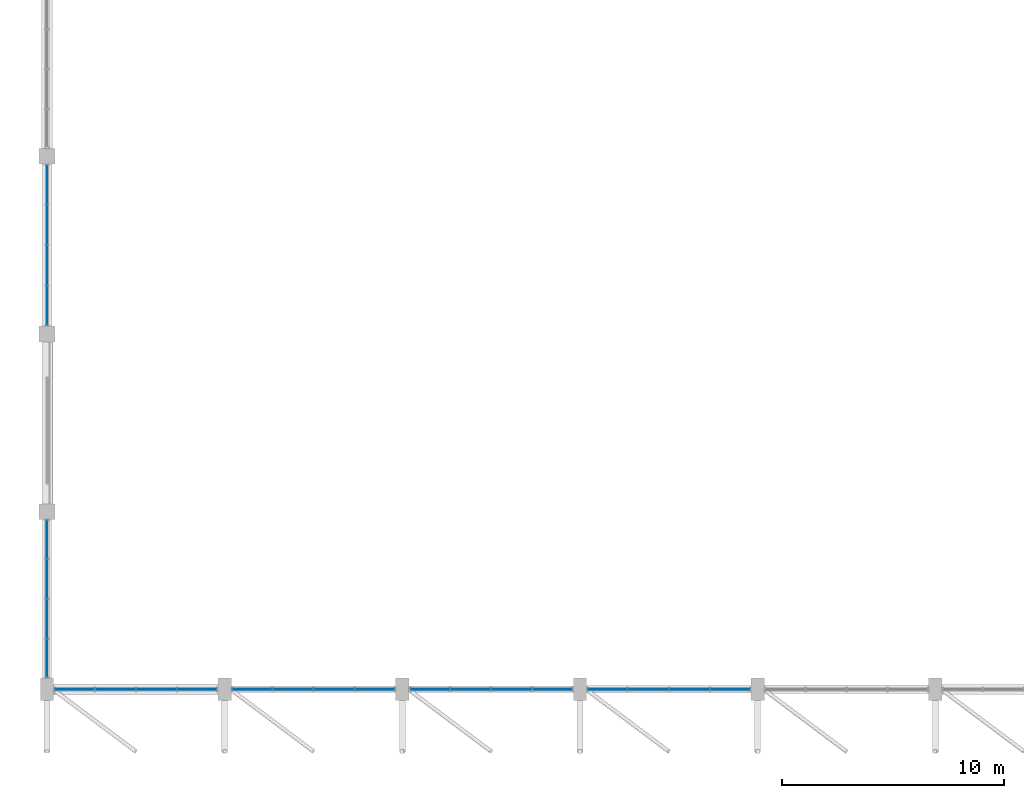
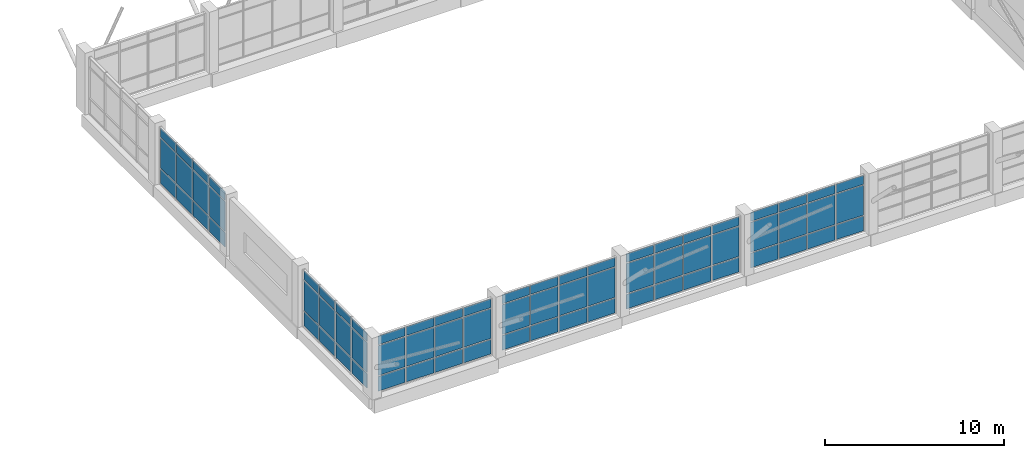
# One storey, part 29 of 44: 72 plates, 6 elements without a shape of their own.
"""IFC4 building model written with IfcOpenShell, lengths in metres."""

from ifc_helpers import new_model, si_unit, direction, frame, origin, origin_2d, place, context, subcontext, project, spatial, rectangle, extrude, material, layer, layer_set, type_object, element, aggregate, save


model = new_model("IFC4")

# Units and contexts
model_context = context("Model", 3, precision=1e-05, world=origin(), true_north=direction((0.0, 1.0)))
body_context = subcontext(model_context, "Body", "Model", "MODEL_VIEW")
ifc_project = project(units=[si_unit("LENGTHUNIT", "METRE"), si_unit("AREAUNIT", "SQUARE_METRE"), si_unit("VOLUMEUNIT", "CUBIC_METRE"), si_unit("PLANEANGLEUNIT", "RADIAN"), si_unit("MASSUNIT", "GRAM", prefix="KILO")], contexts=[model_context])

# Site, building, storey
site_placement = place(None, origin())
site = spatial("IfcSite", under=ifc_project, at=site_placement, CompositionType="ELEMENT")
building_placement = place(site_placement, origin())
building = spatial("IfcBuilding", under=site, at=building_placement, Name="Tenunan Teduh Sports Hall", CompositionType="ELEMENT")
storey_placement = place(building_placement, frame((0.0, 0.0, 19.199951171875)))
storey = spatial("IfcBuildingStorey", under=building, at=storey_placement, Name="L04", CompositionType="ELEMENT", Elevation=19.199951171875)

# Curtain wall, plates
ifc_material_1 = material(Name="Anodised aluminium", Category="aluminium")
curtain_wall_type = type_object("IfcCurtainWallType", Name="CW-UNIT-2", PredefinedType="NOTDEFINED", material=ifc_material_1)
curtain_wall_1_placement = place(storey_placement, origin())
curtain_wall_1 = element("IfcCurtainWall", 1, at=curtain_wall_1_placement, inside=storey, type_object=curtain_wall_type, Name="CW-CWM-200-L04-092", PredefinedType="NOTDEFINED")
ifc_material_2 = material(Name="Low-E laminated double glazing", Category="glass")
ifc_layer_1 = layer(ifc_material_2, 0.028076171875)
ifc_layer_set_1 = layer_set([ifc_layer_1], Name="Low-E laminated double glazing")
plate_type_1 = type_object("IfcPlateType", Name="CWP-GLZ-28", PredefinedType="CURTAIN_PANEL", material=ifc_layer_set_1)
plate_1_placement = place(storey_placement, frame((7.242431640625, 14.0, 1.13525390625), z_axis=(0.0, 0.0, 1.0), x_axis=(1.0, 0.0, 0.0)))
plate_1 = element("IfcPlate", 2, at=plate_1_placement, type_object=plate_type_1, Name="CW-02 panel 1.2", PredefinedType="CURTAIN_PANEL", context=body_context, shape_type="SweptSolid", body=[
    extrude(rectangle(XDim=1.7451171875, YDim=0.028076171875, at=origin_2d()), origin(), (0.0, 0.0, 1.0), 2.030029296875),
])
plate_2_placement = place(storey_placement, frame((7.242431640625, 14.0, 3.23486328125), z_axis=(0.0, 0.0, 1.0), x_axis=(1.0, 0.0, 0.0)))
plate_2 = element("IfcPlate", 3, at=plate_2_placement, type_object=plate_type_1, Name="CW-02 panel 1.3", PredefinedType="CURTAIN_PANEL", context=body_context, shape_type="SweptSolid", body=[
    extrude(rectangle(XDim=1.7451171875, YDim=0.028076171875, at=origin_2d()), origin(), (0.0, 0.0, 1.0), 0.594970703125),
])
plate_3_placement = place(storey_placement, frame((9.074951171875, 14.0, 1.13525390625), z_axis=(0.0, 0.0, 1.0), x_axis=(1.0, 0.0, 0.0)))
plate_3 = element("IfcPlate", 4, at=plate_3_placement, type_object=plate_type_1, Name="CW-02 panel 2.2", PredefinedType="CURTAIN_PANEL", context=body_context, shape_type="SweptSolid", body=[
    extrude(rectangle(XDim=1.780029296875, YDim=0.028076171875, at=origin_2d()), origin(), (0.0, 0.0, 1.0), 2.030029296875),
])
plate_4_placement = place(storey_placement, frame((9.074951171875, 14.0, 3.23486328125), z_axis=(0.0, 0.0, 1.0), x_axis=(1.0, 0.0, 0.0)))
plate_4 = element("IfcPlate", 5, at=plate_4_placement, type_object=plate_type_1, Name="CW-02 panel 2.3", PredefinedType="CURTAIN_PANEL", context=body_context, shape_type="SweptSolid", body=[
    extrude(rectangle(XDim=1.780029296875, YDim=0.028076171875, at=origin_2d()), origin(), (0.0, 0.0, 1.0), 0.594970703125),
])
plate_5_placement = place(storey_placement, frame((10.925048828125, 14.0, 1.13525390625), z_axis=(0.0, 0.0, 1.0), x_axis=(1.0, 0.0, 0.0)))
plate_5 = element("IfcPlate", 6, at=plate_5_placement, type_object=plate_type_1, Name="CW-02 panel 3.2", PredefinedType="CURTAIN_PANEL", context=body_context, shape_type="SweptSolid", body=[
    extrude(rectangle(XDim=1.780029296875, YDim=0.028076171875, at=origin_2d()), origin(), (0.0, 0.0, 1.0), 2.030029296875),
])
plate_6_placement = place(storey_placement, frame((10.925048828125, 14.0, 3.23486328125), z_axis=(0.0, 0.0, 1.0), x_axis=(1.0, 0.0, 0.0)))
plate_6 = element("IfcPlate", 7, at=plate_6_placement, type_object=plate_type_1, Name="CW-02 panel 3.3", PredefinedType="CURTAIN_PANEL", context=body_context, shape_type="SweptSolid", body=[
    extrude(rectangle(XDim=1.780029296875, YDim=0.028076171875, at=origin_2d()), origin(), (0.0, 0.0, 1.0), 0.594970703125),
])
plate_7_placement = place(storey_placement, frame((12.757568359375, 14.0, 1.13525390625), z_axis=(0.0, 0.0, 1.0), x_axis=(1.0, 0.0, 0.0)))
plate_7 = element("IfcPlate", 8, at=plate_7_placement, type_object=plate_type_1, Name="CW-02 panel 4.2", PredefinedType="CURTAIN_PANEL", context=body_context, shape_type="SweptSolid", body=[
    extrude(rectangle(XDim=1.7451171875, YDim=0.028076171875, at=origin_2d()), origin(), (0.0, 0.0, 1.0), 2.030029296875),
])
plate_8_placement = place(storey_placement, frame((12.757568359375, 14.0, 3.23486328125), z_axis=(0.0, 0.0, 1.0), x_axis=(1.0, 0.0, 0.0)))
plate_8 = element("IfcPlate", 9, at=plate_8_placement, type_object=plate_type_1, Name="CW-02 panel 4.3", PredefinedType="CURTAIN_PANEL", context=body_context, shape_type="SweptSolid", body=[
    extrude(rectangle(XDim=1.7451171875, YDim=0.028076171875, at=origin_2d()), origin(), (0.0, 0.0, 1.0), 0.594970703125),
])

curtain_wall_2_placement = place(storey_placement, origin())
curtain_wall_2 = element("IfcCurtainWall", 10, at=curtain_wall_2_placement, inside=storey, type_object=curtain_wall_type, Name="CW-CWM-175-L04-094", PredefinedType="NOTDEFINED")
plate_9_placement = place(storey_placement, frame((15.2412109375, 14.0, 1.1328125), z_axis=(0.0, 0.0, 1.0), x_axis=(1.0, 0.0, 0.0)))
plate_9 = element("IfcPlate", 11, at=plate_9_placement, type_object=plate_type_1, Name="CW-02 panel 1.2", PredefinedType="CURTAIN_PANEL", context=body_context, shape_type="SweptSolid", body=[
    extrude(rectangle(XDim=1.75244140625, YDim=0.028076171875, at=origin_2d()), origin(), (0.0, 0.0, 1.0), 2.034912109375),
])
plate_10_placement = place(storey_placement, frame((15.2412109375, 14.0, 3.232421875), z_axis=(0.0, 0.0, 1.0), x_axis=(1.0, 0.0, 0.0)))
plate_10 = element("IfcPlate", 12, at=plate_10_placement, type_object=plate_type_1, Name="CW-02 panel 1.3", PredefinedType="CURTAIN_PANEL", context=body_context, shape_type="SweptSolid", body=[
    extrude(rectangle(XDim=1.75244140625, YDim=0.028076171875, at=origin_2d()), origin(), (0.0, 0.0, 1.0), 0.6025390625),
])
plate_11_placement = place(storey_placement, frame((17.074951171875, 14.0, 1.1328125), z_axis=(0.0, 0.0, 1.0), x_axis=(1.0, 0.0, 0.0)))
plate_11 = element("IfcPlate", 13, at=plate_11_placement, type_object=plate_type_1, Name="CW-02 panel 2.2", PredefinedType="CURTAIN_PANEL", context=body_context, shape_type="SweptSolid", body=[
    extrude(rectangle(XDim=1.784912109375, YDim=0.028076171875, at=origin_2d()), origin(), (0.0, 0.0, 1.0), 2.034912109375),
])
plate_12_placement = place(storey_placement, frame((17.074951171875, 14.0, 3.232421875), z_axis=(0.0, 0.0, 1.0), x_axis=(1.0, 0.0, 0.0)))
plate_12 = element("IfcPlate", 14, at=plate_12_placement, type_object=plate_type_1, Name="CW-02 panel 2.3", PredefinedType="CURTAIN_PANEL", context=body_context, shape_type="SweptSolid", body=[
    extrude(rectangle(XDim=1.784912109375, YDim=0.028076171875, at=origin_2d()), origin(), (0.0, 0.0, 1.0), 0.6025390625),
])
plate_13_placement = place(storey_placement, frame((18.925048828125, 14.0, 1.1328125), z_axis=(0.0, 0.0, 1.0), x_axis=(1.0, 0.0, 0.0)))
plate_13 = element("IfcPlate", 15, at=plate_13_placement, type_object=plate_type_1, Name="CW-02 panel 3.2", PredefinedType="CURTAIN_PANEL", context=body_context, shape_type="SweptSolid", body=[
    extrude(rectangle(XDim=1.784912109375, YDim=0.028076171875, at=origin_2d()), origin(), (0.0, 0.0, 1.0), 2.034912109375),
])
plate_14_placement = place(storey_placement, frame((18.925048828125, 14.0, 3.232421875), z_axis=(0.0, 0.0, 1.0), x_axis=(1.0, 0.0, 0.0)))
plate_14 = element("IfcPlate", 16, at=plate_14_placement, type_object=plate_type_1, Name="CW-02 panel 3.3", PredefinedType="CURTAIN_PANEL", context=body_context, shape_type="SweptSolid", body=[
    extrude(rectangle(XDim=1.784912109375, YDim=0.028076171875, at=origin_2d()), origin(), (0.0, 0.0, 1.0), 0.6025390625),
])
plate_15_placement = place(storey_placement, frame((20.7587890625, 14.0, 1.1328125), z_axis=(0.0, 0.0, 1.0), x_axis=(1.0, 0.0, 0.0)))
plate_15 = element("IfcPlate", 17, at=plate_15_placement, type_object=plate_type_1, Name="CW-02 panel 4.2", PredefinedType="CURTAIN_PANEL", context=body_context, shape_type="SweptSolid", body=[
    extrude(rectangle(XDim=1.75244140625, YDim=0.028076171875, at=origin_2d()), origin(), (0.0, 0.0, 1.0), 2.034912109375),
])
plate_16_placement = place(storey_placement, frame((20.7587890625, 14.0, 3.232421875), z_axis=(0.0, 0.0, 1.0), x_axis=(1.0, 0.0, 0.0)))
plate_16 = element("IfcPlate", 18, at=plate_16_placement, type_object=plate_type_1, Name="CW-02 panel 4.3", PredefinedType="CURTAIN_PANEL", context=body_context, shape_type="SweptSolid", body=[
    extrude(rectangle(XDim=1.75244140625, YDim=0.028076171875, at=origin_2d()), origin(), (0.0, 0.0, 1.0), 0.6025390625),
])

curtain_wall_3_placement = place(storey_placement, origin())
curtain_wall_3 = element("IfcCurtainWall", 19, at=curtain_wall_3_placement, inside=storey, type_object=curtain_wall_type, Name="CW-CWM-200-L04-096", PredefinedType="NOTDEFINED")
plate_17_placement = place(storey_placement, frame((23.242431640625, 14.0, 1.13525390625), z_axis=(0.0, 0.0, 1.0), x_axis=(1.0, 0.0, 0.0)))
plate_17 = element("IfcPlate", 20, at=plate_17_placement, type_object=plate_type_1, Name="CW-02 panel 1.2", PredefinedType="CURTAIN_PANEL", context=body_context, shape_type="SweptSolid", body=[
    extrude(rectangle(XDim=1.7451171875, YDim=0.028076171875, at=origin_2d()), origin(), (0.0, 0.0, 1.0), 2.030029296875),
])
plate_18_placement = place(storey_placement, frame((23.242431640625, 14.0, 3.23486328125), z_axis=(0.0, 0.0, 1.0), x_axis=(1.0, 0.0, 0.0)))
plate_18 = element("IfcPlate", 21, at=plate_18_placement, type_object=plate_type_1, Name="CW-02 panel 1.3", PredefinedType="CURTAIN_PANEL", context=body_context, shape_type="SweptSolid", body=[
    extrude(rectangle(XDim=1.7451171875, YDim=0.028076171875, at=origin_2d()), origin(), (0.0, 0.0, 1.0), 0.594970703125),
])
plate_19_placement = place(storey_placement, frame((25.074951171875, 14.0, 1.13525390625), z_axis=(0.0, 0.0, 1.0), x_axis=(1.0, 0.0, 0.0)))
plate_19 = element("IfcPlate", 22, at=plate_19_placement, type_object=plate_type_1, Name="CW-02 panel 2.2", PredefinedType="CURTAIN_PANEL", context=body_context, shape_type="SweptSolid", body=[
    extrude(rectangle(XDim=1.780029296875, YDim=0.028076171875, at=origin_2d()), origin(), (0.0, 0.0, 1.0), 2.030029296875),
])
plate_20_placement = place(storey_placement, frame((25.074951171875, 14.0, 3.23486328125), z_axis=(0.0, 0.0, 1.0), x_axis=(1.0, 0.0, 0.0)))
plate_20 = element("IfcPlate", 23, at=plate_20_placement, type_object=plate_type_1, Name="CW-02 panel 2.3", PredefinedType="CURTAIN_PANEL", context=body_context, shape_type="SweptSolid", body=[
    extrude(rectangle(XDim=1.780029296875, YDim=0.028076171875, at=origin_2d()), origin(), (0.0, 0.0, 1.0), 0.594970703125),
])
plate_21_placement = place(storey_placement, frame((26.925048828125, 14.0, 1.13525390625), z_axis=(0.0, 0.0, 1.0), x_axis=(1.0, 0.0, 0.0)))
plate_21 = element("IfcPlate", 24, at=plate_21_placement, type_object=plate_type_1, Name="CW-02 panel 3.2", PredefinedType="CURTAIN_PANEL", context=body_context, shape_type="SweptSolid", body=[
    extrude(rectangle(XDim=1.780029296875, YDim=0.028076171875, at=origin_2d()), origin(), (0.0, 0.0, 1.0), 2.030029296875),
])
plate_22_placement = place(storey_placement, frame((26.925048828125, 14.0, 3.23486328125), z_axis=(0.0, 0.0, 1.0), x_axis=(1.0, 0.0, 0.0)))
plate_22 = element("IfcPlate", 25, at=plate_22_placement, type_object=plate_type_1, Name="CW-02 panel 3.3", PredefinedType="CURTAIN_PANEL", context=body_context, shape_type="SweptSolid", body=[
    extrude(rectangle(XDim=1.780029296875, YDim=0.028076171875, at=origin_2d()), origin(), (0.0, 0.0, 1.0), 0.594970703125),
])
plate_23_placement = place(storey_placement, frame((28.757568359375, 14.0, 1.13525390625), z_axis=(0.0, 0.0, 1.0), x_axis=(1.0, 0.0, 0.0)))
plate_23 = element("IfcPlate", 26, at=plate_23_placement, type_object=plate_type_1, Name="CW-02 panel 4.2", PredefinedType="CURTAIN_PANEL", context=body_context, shape_type="SweptSolid", body=[
    extrude(rectangle(XDim=1.7451171875, YDim=0.028076171875, at=origin_2d()), origin(), (0.0, 0.0, 1.0), 2.030029296875),
])
plate_24_placement = place(storey_placement, frame((28.757568359375, 14.0, 3.23486328125), z_axis=(0.0, 0.0, 1.0), x_axis=(1.0, 0.0, 0.0)))
plate_24 = element("IfcPlate", 27, at=plate_24_placement, type_object=plate_type_1, Name="CW-02 panel 4.3", PredefinedType="CURTAIN_PANEL", context=body_context, shape_type="SweptSolid", body=[
    extrude(rectangle(XDim=1.7451171875, YDim=0.028076171875, at=origin_2d()), origin(), (0.0, 0.0, 1.0), 0.594970703125),
])

curtain_wall_4_placement = place(storey_placement, origin())
curtain_wall_4 = element("IfcCurtainWall", 28, at=curtain_wall_4_placement, inside=storey, type_object=curtain_wall_type, Name="CW-CWM-175-L04-098", PredefinedType="NOTDEFINED")
plate_25_placement = place(storey_placement, frame((31.2412109375, 14.0, 1.1328125), z_axis=(0.0, 0.0, 1.0), x_axis=(1.0, 0.0, 0.0)))
plate_25 = element("IfcPlate", 29, at=plate_25_placement, type_object=plate_type_1, Name="CW-02 panel 1.2", PredefinedType="CURTAIN_PANEL", context=body_context, shape_type="SweptSolid", body=[
    extrude(rectangle(XDim=1.75244140625, YDim=0.028076171875, at=origin_2d()), origin(), (0.0, 0.0, 1.0), 2.034912109375),
])
plate_26_placement = place(storey_placement, frame((31.2412109375, 14.0, 3.232421875), z_axis=(0.0, 0.0, 1.0), x_axis=(1.0, 0.0, 0.0)))
plate_26 = element("IfcPlate", 30, at=plate_26_placement, type_object=plate_type_1, Name="CW-02 panel 1.3", PredefinedType="CURTAIN_PANEL", context=body_context, shape_type="SweptSolid", body=[
    extrude(rectangle(XDim=1.75244140625, YDim=0.028076171875, at=origin_2d()), origin(), (0.0, 0.0, 1.0), 0.6025390625),
])
plate_27_placement = place(storey_placement, frame((33.074951171875, 14.0, 1.1328125), z_axis=(0.0, 0.0, 1.0), x_axis=(1.0, 0.0, 0.0)))
plate_27 = element("IfcPlate", 31, at=plate_27_placement, type_object=plate_type_1, Name="CW-02 panel 2.2", PredefinedType="CURTAIN_PANEL", context=body_context, shape_type="SweptSolid", body=[
    extrude(rectangle(XDim=1.784912109375, YDim=0.028076171875, at=origin_2d()), origin(), (0.0, 0.0, 1.0), 2.034912109375),
])
plate_28_placement = place(storey_placement, frame((33.074951171875, 14.0, 3.232421875), z_axis=(0.0, 0.0, 1.0), x_axis=(1.0, 0.0, 0.0)))
plate_28 = element("IfcPlate", 32, at=plate_28_placement, type_object=plate_type_1, Name="CW-02 panel 2.3", PredefinedType="CURTAIN_PANEL", context=body_context, shape_type="SweptSolid", body=[
    extrude(rectangle(XDim=1.784912109375, YDim=0.028076171875, at=origin_2d()), origin(), (0.0, 0.0, 1.0), 0.6025390625),
])
plate_29_placement = place(storey_placement, frame((34.925048828125, 14.0, 1.1328125), z_axis=(0.0, 0.0, 1.0), x_axis=(1.0, 0.0, 0.0)))
plate_29 = element("IfcPlate", 33, at=plate_29_placement, type_object=plate_type_1, Name="CW-02 panel 3.2", PredefinedType="CURTAIN_PANEL", context=body_context, shape_type="SweptSolid", body=[
    extrude(rectangle(XDim=1.784912109375, YDim=0.028076171875, at=origin_2d()), origin(), (0.0, 0.0, 1.0), 2.034912109375),
])
plate_30_placement = place(storey_placement, frame((34.925048828125, 14.0, 3.232421875), z_axis=(0.0, 0.0, 1.0), x_axis=(1.0, 0.0, 0.0)))
plate_30 = element("IfcPlate", 34, at=plate_30_placement, type_object=plate_type_1, Name="CW-02 panel 3.3", PredefinedType="CURTAIN_PANEL", context=body_context, shape_type="SweptSolid", body=[
    extrude(rectangle(XDim=1.784912109375, YDim=0.028076171875, at=origin_2d()), origin(), (0.0, 0.0, 1.0), 0.6025390625),
])
plate_31_placement = place(storey_placement, frame((36.7587890625, 14.0, 1.1328125), z_axis=(0.0, 0.0, 1.0), x_axis=(1.0, 0.0, 0.0)))
plate_31 = element("IfcPlate", 35, at=plate_31_placement, type_object=plate_type_1, Name="CW-02 panel 4.2", PredefinedType="CURTAIN_PANEL", context=body_context, shape_type="SweptSolid", body=[
    extrude(rectangle(XDim=1.75244140625, YDim=0.028076171875, at=origin_2d()), origin(), (0.0, 0.0, 1.0), 2.034912109375),
])
plate_32_placement = place(storey_placement, frame((36.7587890625, 14.0, 3.232421875), z_axis=(0.0, 0.0, 1.0), x_axis=(1.0, 0.0, 0.0)))
plate_32 = element("IfcPlate", 36, at=plate_32_placement, type_object=plate_type_1, Name="CW-02 panel 4.3", PredefinedType="CURTAIN_PANEL", context=body_context, shape_type="SweptSolid", body=[
    extrude(rectangle(XDim=1.75244140625, YDim=0.028076171875, at=origin_2d()), origin(), (0.0, 0.0, 1.0), 0.6025390625),
])

curtain_wall_5_placement = place(storey_placement, origin())
curtain_wall_5 = element("IfcCurtainWall", 37, at=curtain_wall_5_placement, inside=storey, type_object=curtain_wall_type, Name="CW-CWM-200-L04-104", PredefinedType="NOTDEFINED")
plate_33_placement = place(storey_placement, frame((6.0, 15.4111328125, 1.13525390625), z_axis=(0.0, 0.0, 1.0), x_axis=(0.0, 1.0, 0.0)))
plate_33 = element("IfcPlate", 38, at=plate_33_placement, type_object=plate_type_1, Name="CW-02 panel 1.2", PredefinedType="CURTAIN_PANEL", context=body_context, shape_type="SweptSolid", body=[
    extrude(rectangle(XDim=1.6826171875, YDim=0.028076171875, at=origin_2d()), origin(), (0.0, 0.0, 1.0), 2.030029296875),
])
plate_34_placement = place(storey_placement, frame((6.0, 15.4111328125, 3.23486328125), z_axis=(0.0, 0.0, 1.0), x_axis=(0.0, 1.0, 0.0)))
plate_34 = element("IfcPlate", 39, at=plate_34_placement, type_object=plate_type_1, Name="CW-02 panel 1.3", PredefinedType="CURTAIN_PANEL", context=body_context, shape_type="SweptSolid", body=[
    extrude(rectangle(XDim=1.6826171875, YDim=0.028076171875, at=origin_2d()), origin(), (0.0, 0.0, 1.0), 0.594970703125),
])
plate_35_placement = place(storey_placement, frame((6.0, 17.18115234375, 1.13525390625), z_axis=(0.0, 0.0, 1.0), x_axis=(0.0, 1.0, 0.0)))
plate_35 = element("IfcPlate", 40, at=plate_35_placement, type_object=plate_type_1, Name="CW-02 panel 2.2", PredefinedType="CURTAIN_PANEL", context=body_context, shape_type="SweptSolid", body=[
    extrude(rectangle(XDim=1.717529296875, YDim=0.028076171875, at=origin_2d()), origin(), (0.0, 0.0, 1.0), 2.030029296875),
])
plate_36_placement = place(storey_placement, frame((6.0, 17.18115234375, 3.23486328125), z_axis=(0.0, 0.0, 1.0), x_axis=(0.0, 1.0, 0.0)))
plate_36 = element("IfcPlate", 41, at=plate_36_placement, type_object=plate_type_1, Name="CW-02 panel 2.3", PredefinedType="CURTAIN_PANEL", context=body_context, shape_type="SweptSolid", body=[
    extrude(rectangle(XDim=1.717529296875, YDim=0.028076171875, at=origin_2d()), origin(), (0.0, 0.0, 1.0), 0.594970703125),
])
plate_37_placement = place(storey_placement, frame((6.0, 18.96875, 1.13525390625), z_axis=(0.0, 0.0, 1.0), x_axis=(0.0, 1.0, 0.0)))
plate_37 = element("IfcPlate", 42, at=plate_37_placement, type_object=plate_type_1, Name="CW-02 panel 3.2", PredefinedType="CURTAIN_PANEL", context=body_context, shape_type="SweptSolid", body=[
    extrude(rectangle(XDim=1.717529296875, YDim=0.028076171875, at=origin_2d()), origin(), (0.0, 0.0, 1.0), 2.030029296875),
])
plate_38_placement = place(storey_placement, frame((6.0, 18.96875, 3.23486328125), z_axis=(0.0, 0.0, 1.0), x_axis=(0.0, 1.0, 0.0)))
plate_38 = element("IfcPlate", 43, at=plate_38_placement, type_object=plate_type_1, Name="CW-02 panel 3.3", PredefinedType="CURTAIN_PANEL", context=body_context, shape_type="SweptSolid", body=[
    extrude(rectangle(XDim=1.717529296875, YDim=0.028076171875, at=origin_2d()), origin(), (0.0, 0.0, 1.0), 0.594970703125),
])
plate_39_placement = place(storey_placement, frame((6.0, 20.73876953125, 1.13525390625), z_axis=(0.0, 0.0, 1.0), x_axis=(0.0, 1.0, 0.0)))
plate_39 = element("IfcPlate", 44, at=plate_39_placement, type_object=plate_type_1, Name="CW-02 panel 4.2", PredefinedType="CURTAIN_PANEL", context=body_context, shape_type="SweptSolid", body=[
    extrude(rectangle(XDim=1.6826171875, YDim=0.028076171875, at=origin_2d()), origin(), (0.0, 0.0, 1.0), 2.030029296875),
])
plate_40_placement = place(storey_placement, frame((6.0, 20.73876953125, 3.23486328125), z_axis=(0.0, 0.0, 1.0), x_axis=(0.0, 1.0, 0.0)))
plate_40 = element("IfcPlate", 45, at=plate_40_placement, type_object=plate_type_1, Name="CW-02 panel 4.3", PredefinedType="CURTAIN_PANEL", context=body_context, shape_type="SweptSolid", body=[
    extrude(rectangle(XDim=1.6826171875, YDim=0.028076171875, at=origin_2d()), origin(), (0.0, 0.0, 1.0), 0.594970703125),
])

curtain_wall_6_placement = place(storey_placement, origin())
curtain_wall_6 = element("IfcCurtainWall", 46, at=curtain_wall_6_placement, inside=storey, type_object=curtain_wall_type, Name="CW-CWM-175-L04-106", PredefinedType="NOTDEFINED")
plate_41_placement = place(storey_placement, frame((6.0, 31.27880859375, 1.1328125), z_axis=(0.0, 0.0, 1.0), x_axis=(0.0, 1.0, 0.0)))
plate_41 = element("IfcPlate", 47, at=plate_41_placement, type_object=plate_type_1, Name="CW-02 panel 1.2", PredefinedType="CURTAIN_PANEL", context=body_context, shape_type="SweptSolid", body=[
    extrude(rectangle(XDim=1.7275390625, YDim=0.028076171875, at=origin_2d()), origin(), (0.0, 0.0, 1.0), 2.034912109375),
])
plate_42_placement = place(storey_placement, frame((6.0, 31.27880859375, 3.232421875), z_axis=(0.0, 0.0, 1.0), x_axis=(0.0, 1.0, 0.0)))
plate_42 = element("IfcPlate", 48, at=plate_42_placement, type_object=plate_type_1, Name="CW-02 panel 1.3", PredefinedType="CURTAIN_PANEL", context=body_context, shape_type="SweptSolid", body=[
    extrude(rectangle(XDim=1.7275390625, YDim=0.028076171875, at=origin_2d()), origin(), (0.0, 0.0, 1.0), 0.6025390625),
])
plate_43_placement = place(storey_placement, frame((6.0, 33.08740234375, 1.1328125), z_axis=(0.0, 0.0, 1.0), x_axis=(0.0, 1.0, 0.0)))
plate_43 = element("IfcPlate", 49, at=plate_43_placement, type_object=plate_type_1, Name="CW-02 panel 2.2", PredefinedType="CURTAIN_PANEL", context=body_context, shape_type="SweptSolid", body=[
    extrude(rectangle(XDim=1.760009765625, YDim=0.028076171875, at=origin_2d()), origin(), (0.0, 0.0, 1.0), 2.034912109375),
])
plate_44_placement = place(storey_placement, frame((6.0, 33.08740234375, 3.232421875), z_axis=(0.0, 0.0, 1.0), x_axis=(0.0, 1.0, 0.0)))
plate_44 = element("IfcPlate", 50, at=plate_44_placement, type_object=plate_type_1, Name="CW-02 panel 2.3", PredefinedType="CURTAIN_PANEL", context=body_context, shape_type="SweptSolid", body=[
    extrude(rectangle(XDim=1.760009765625, YDim=0.028076171875, at=origin_2d()), origin(), (0.0, 0.0, 1.0), 0.6025390625),
])
plate_45_placement = place(storey_placement, frame((6.0, 34.91259765625, 1.1328125), z_axis=(0.0, 0.0, 1.0), x_axis=(0.0, 1.0, 0.0)))
plate_45 = element("IfcPlate", 51, at=plate_45_placement, type_object=plate_type_1, Name="CW-02 panel 3.2", PredefinedType="CURTAIN_PANEL", context=body_context, shape_type="SweptSolid", body=[
    extrude(rectangle(XDim=1.760009765625, YDim=0.028076171875, at=origin_2d()), origin(), (0.0, 0.0, 1.0), 2.034912109375),
])
plate_46_placement = place(storey_placement, frame((6.0, 34.91259765625, 3.232421875), z_axis=(0.0, 0.0, 1.0), x_axis=(0.0, 1.0, 0.0)))
plate_46 = element("IfcPlate", 52, at=plate_46_placement, type_object=plate_type_1, Name="CW-02 panel 3.3", PredefinedType="CURTAIN_PANEL", context=body_context, shape_type="SweptSolid", body=[
    extrude(rectangle(XDim=1.760009765625, YDim=0.028076171875, at=origin_2d()), origin(), (0.0, 0.0, 1.0), 0.6025390625),
])
plate_47_placement = place(storey_placement, frame((6.0, 36.72119140625, 1.1328125), z_axis=(0.0, 0.0, 1.0), x_axis=(0.0, 1.0, 0.0)))
plate_47 = element("IfcPlate", 53, at=plate_47_placement, type_object=plate_type_1, Name="CW-02 panel 4.2", PredefinedType="CURTAIN_PANEL", context=body_context, shape_type="SweptSolid", body=[
    extrude(rectangle(XDim=1.7275390625, YDim=0.028076171875, at=origin_2d()), origin(), (0.0, 0.0, 1.0), 2.034912109375),
])
plate_48_placement = place(storey_placement, frame((6.0, 36.72119140625, 3.232421875), z_axis=(0.0, 0.0, 1.0), x_axis=(0.0, 1.0, 0.0)))
plate_48 = element("IfcPlate", 54, at=plate_48_placement, type_object=plate_type_1, Name="CW-02 panel 4.3", PredefinedType="CURTAIN_PANEL", context=body_context, shape_type="SweptSolid", body=[
    extrude(rectangle(XDim=1.7275390625, YDim=0.028076171875, at=origin_2d()), origin(), (0.0, 0.0, 1.0), 0.6025390625),
])

# Plate
ifc_material_3 = material(Name="Insulated aluminium spandrel panel", Category="aluminium")
ifc_layer_2 = layer(ifc_material_3, 0.044921875)
ifc_layer_set_2 = layer_set([ifc_layer_2], Name="Insulated aluminium spandrel panel")
plate_type_2 = type_object("IfcPlateType", Name="CWP-SPN-45", PredefinedType="CURTAIN_PANEL", material=ifc_layer_set_2)
plate_49_placement = place(storey_placement, frame((7.242431640625, 14.0, 0.070068359375), z_axis=(0.0, 0.0, 1.0), x_axis=(1.0, 0.0, 0.0)))
plate_49 = element("IfcPlate", 55, at=plate_49_placement, type_object=plate_type_2, Name="CW-02 panel 1.1", PredefinedType="CURTAIN_PANEL", context=body_context, shape_type="SweptSolid", body=[
    extrude(rectangle(XDim=1.7451171875, YDim=0.028076171875, at=origin_2d()), origin(), (0.0, 0.0, 1.0), 0.9951171875),
])

plate_50_placement = place(storey_placement, frame((9.074951171875, 14.0, 0.070068359375), z_axis=(0.0, 0.0, 1.0), x_axis=(1.0, 0.0, 0.0)))
plate_50 = element("IfcPlate", 56, at=plate_50_placement, type_object=plate_type_2, Name="CW-02 panel 2.1", PredefinedType="CURTAIN_PANEL", context=body_context, shape_type="SweptSolid", body=[
    extrude(rectangle(XDim=1.780029296875, YDim=0.028076171875, at=origin_2d()), origin(), (0.0, 0.0, 1.0), 0.9951171875),
])

plate_51_placement = place(storey_placement, frame((10.925048828125, 14.0, 0.070068359375), z_axis=(0.0, 0.0, 1.0), x_axis=(1.0, 0.0, 0.0)))
plate_51 = element("IfcPlate", 57, at=plate_51_placement, type_object=plate_type_2, Name="CW-02 panel 3.1", PredefinedType="CURTAIN_PANEL", context=body_context, shape_type="SweptSolid", body=[
    extrude(rectangle(XDim=1.780029296875, YDim=0.028076171875, at=origin_2d()), origin(), (0.0, 0.0, 1.0), 0.9951171875),
])

plate_52_placement = place(storey_placement, frame((12.757568359375, 14.0, 0.070068359375), z_axis=(0.0, 0.0, 1.0), x_axis=(1.0, 0.0, 0.0)))
plate_52 = element("IfcPlate", 58, at=plate_52_placement, type_object=plate_type_2, Name="CW-02 panel 4.1", PredefinedType="CURTAIN_PANEL", context=body_context, shape_type="SweptSolid", body=[
    extrude(rectangle(XDim=1.7451171875, YDim=0.028076171875, at=origin_2d()), origin(), (0.0, 0.0, 1.0), 0.9951171875),
])

aggregate(curtain_wall_1, [plate_49, plate_1, plate_2, plate_50, plate_3, plate_4, plate_51, plate_5, plate_6, plate_52, plate_7, plate_8])

plate_53_placement = place(storey_placement, frame((15.2412109375, 14.0, 0.065185546875), z_axis=(0.0, 0.0, 1.0), x_axis=(1.0, 0.0, 0.0)))
plate_53 = element("IfcPlate", 59, at=plate_53_placement, type_object=plate_type_2, Name="CW-02 panel 1.1", PredefinedType="CURTAIN_PANEL", context=body_context, shape_type="SweptSolid", body=[
    extrude(rectangle(XDim=1.75244140625, YDim=0.028076171875, at=origin_2d()), origin(), (0.0, 0.0, 1.0), 1.00244140625),
])

plate_54_placement = place(storey_placement, frame((17.074951171875, 14.0, 0.065185546875), z_axis=(0.0, 0.0, 1.0), x_axis=(1.0, 0.0, 0.0)))
plate_54 = element("IfcPlate", 60, at=plate_54_placement, type_object=plate_type_2, Name="CW-02 panel 2.1", PredefinedType="CURTAIN_PANEL", context=body_context, shape_type="SweptSolid", body=[
    extrude(rectangle(XDim=1.784912109375, YDim=0.028076171875, at=origin_2d()), origin(), (0.0, 0.0, 1.0), 1.00244140625),
])

plate_55_placement = place(storey_placement, frame((18.925048828125, 14.0, 0.065185546875), z_axis=(0.0, 0.0, 1.0), x_axis=(1.0, 0.0, 0.0)))
plate_55 = element("IfcPlate", 61, at=plate_55_placement, type_object=plate_type_2, Name="CW-02 panel 3.1", PredefinedType="CURTAIN_PANEL", context=body_context, shape_type="SweptSolid", body=[
    extrude(rectangle(XDim=1.784912109375, YDim=0.028076171875, at=origin_2d()), origin(), (0.0, 0.0, 1.0), 1.00244140625),
])

plate_56_placement = place(storey_placement, frame((20.7587890625, 14.0, 0.065185546875), z_axis=(0.0, 0.0, 1.0), x_axis=(1.0, 0.0, 0.0)))
plate_56 = element("IfcPlate", 62, at=plate_56_placement, type_object=plate_type_2, Name="CW-02 panel 4.1", PredefinedType="CURTAIN_PANEL", context=body_context, shape_type="SweptSolid", body=[
    extrude(rectangle(XDim=1.75244140625, YDim=0.028076171875, at=origin_2d()), origin(), (0.0, 0.0, 1.0), 1.00244140625),
])

aggregate(curtain_wall_2, [plate_53, plate_9, plate_10, plate_54, plate_11, plate_12, plate_55, plate_13, plate_14, plate_56, plate_15, plate_16])

plate_57_placement = place(storey_placement, frame((23.242431640625, 14.0, 0.070068359375), z_axis=(0.0, 0.0, 1.0), x_axis=(1.0, 0.0, 0.0)))
plate_57 = element("IfcPlate", 63, at=plate_57_placement, type_object=plate_type_2, Name="CW-02 panel 1.1", PredefinedType="CURTAIN_PANEL", context=body_context, shape_type="SweptSolid", body=[
    extrude(rectangle(XDim=1.7451171875, YDim=0.028076171875, at=origin_2d()), origin(), (0.0, 0.0, 1.0), 0.9951171875),
])

plate_58_placement = place(storey_placement, frame((25.074951171875, 14.0, 0.070068359375), z_axis=(0.0, 0.0, 1.0), x_axis=(1.0, 0.0, 0.0)))
plate_58 = element("IfcPlate", 64, at=plate_58_placement, type_object=plate_type_2, Name="CW-02 panel 2.1", PredefinedType="CURTAIN_PANEL", context=body_context, shape_type="SweptSolid", body=[
    extrude(rectangle(XDim=1.780029296875, YDim=0.028076171875, at=origin_2d()), origin(), (0.0, 0.0, 1.0), 0.9951171875),
])

plate_59_placement = place(storey_placement, frame((26.925048828125, 14.0, 0.070068359375), z_axis=(0.0, 0.0, 1.0), x_axis=(1.0, 0.0, 0.0)))
plate_59 = element("IfcPlate", 65, at=plate_59_placement, type_object=plate_type_2, Name="CW-02 panel 3.1", PredefinedType="CURTAIN_PANEL", context=body_context, shape_type="SweptSolid", body=[
    extrude(rectangle(XDim=1.780029296875, YDim=0.028076171875, at=origin_2d()), origin(), (0.0, 0.0, 1.0), 0.9951171875),
])

plate_60_placement = place(storey_placement, frame((28.757568359375, 14.0, 0.070068359375), z_axis=(0.0, 0.0, 1.0), x_axis=(1.0, 0.0, 0.0)))
plate_60 = element("IfcPlate", 66, at=plate_60_placement, type_object=plate_type_2, Name="CW-02 panel 4.1", PredefinedType="CURTAIN_PANEL", context=body_context, shape_type="SweptSolid", body=[
    extrude(rectangle(XDim=1.7451171875, YDim=0.028076171875, at=origin_2d()), origin(), (0.0, 0.0, 1.0), 0.9951171875),
])

aggregate(curtain_wall_3, [plate_57, plate_17, plate_18, plate_58, plate_19, plate_20, plate_59, plate_21, plate_22, plate_60, plate_23, plate_24])

plate_61_placement = place(storey_placement, frame((31.2412109375, 14.0, 0.065185546875), z_axis=(0.0, 0.0, 1.0), x_axis=(1.0, 0.0, 0.0)))
plate_61 = element("IfcPlate", 67, at=plate_61_placement, type_object=plate_type_2, Name="CW-02 panel 1.1", PredefinedType="CURTAIN_PANEL", context=body_context, shape_type="SweptSolid", body=[
    extrude(rectangle(XDim=1.75244140625, YDim=0.028076171875, at=origin_2d()), origin(), (0.0, 0.0, 1.0), 1.00244140625),
])

plate_62_placement = place(storey_placement, frame((33.074951171875, 14.0, 0.065185546875), z_axis=(0.0, 0.0, 1.0), x_axis=(1.0, 0.0, 0.0)))
plate_62 = element("IfcPlate", 68, at=plate_62_placement, type_object=plate_type_2, Name="CW-02 panel 2.1", PredefinedType="CURTAIN_PANEL", context=body_context, shape_type="SweptSolid", body=[
    extrude(rectangle(XDim=1.784912109375, YDim=0.028076171875, at=origin_2d()), origin(), (0.0, 0.0, 1.0), 1.00244140625),
])

plate_63_placement = place(storey_placement, frame((34.925048828125, 14.0, 0.065185546875), z_axis=(0.0, 0.0, 1.0), x_axis=(1.0, 0.0, 0.0)))
plate_63 = element("IfcPlate", 69, at=plate_63_placement, type_object=plate_type_2, Name="CW-02 panel 3.1", PredefinedType="CURTAIN_PANEL", context=body_context, shape_type="SweptSolid", body=[
    extrude(rectangle(XDim=1.784912109375, YDim=0.028076171875, at=origin_2d()), origin(), (0.0, 0.0, 1.0), 1.00244140625),
])

plate_64_placement = place(storey_placement, frame((36.7587890625, 14.0, 0.065185546875), z_axis=(0.0, 0.0, 1.0), x_axis=(1.0, 0.0, 0.0)))
plate_64 = element("IfcPlate", 70, at=plate_64_placement, type_object=plate_type_2, Name="CW-02 panel 4.1", PredefinedType="CURTAIN_PANEL", context=body_context, shape_type="SweptSolid", body=[
    extrude(rectangle(XDim=1.75244140625, YDim=0.028076171875, at=origin_2d()), origin(), (0.0, 0.0, 1.0), 1.00244140625),
])

aggregate(curtain_wall_4, [plate_61, plate_25, plate_26, plate_62, plate_27, plate_28, plate_63, plate_29, plate_30, plate_64, plate_31, plate_32])

plate_65_placement = place(storey_placement, frame((6.0, 15.4111328125, 0.070068359375), z_axis=(0.0, 0.0, 1.0), x_axis=(0.0, 1.0, 0.0)))
plate_65 = element("IfcPlate", 71, at=plate_65_placement, type_object=plate_type_2, Name="CW-02 panel 1.1", PredefinedType="CURTAIN_PANEL", context=body_context, shape_type="SweptSolid", body=[
    extrude(rectangle(XDim=1.6826171875, YDim=0.028076171875, at=origin_2d()), origin(), (0.0, 0.0, 1.0), 0.9951171875),
])

plate_66_placement = place(storey_placement, frame((6.0, 17.18115234375, 0.070068359375), z_axis=(0.0, 0.0, 1.0), x_axis=(0.0, 1.0, 0.0)))
plate_66 = element("IfcPlate", 72, at=plate_66_placement, type_object=plate_type_2, Name="CW-02 panel 2.1", PredefinedType="CURTAIN_PANEL", context=body_context, shape_type="SweptSolid", body=[
    extrude(rectangle(XDim=1.717529296875, YDim=0.028076171875, at=origin_2d()), origin(), (0.0, 0.0, 1.0), 0.9951171875),
])

plate_67_placement = place(storey_placement, frame((6.0, 18.96875, 0.070068359375), z_axis=(0.0, 0.0, 1.0), x_axis=(0.0, 1.0, 0.0)))
plate_67 = element("IfcPlate", 73, at=plate_67_placement, type_object=plate_type_2, Name="CW-02 panel 3.1", PredefinedType="CURTAIN_PANEL", context=body_context, shape_type="SweptSolid", body=[
    extrude(rectangle(XDim=1.717529296875, YDim=0.028076171875, at=origin_2d()), origin(), (0.0, 0.0, 1.0), 0.9951171875),
])

plate_68_placement = place(storey_placement, frame((6.0, 20.73876953125, 0.070068359375), z_axis=(0.0, 0.0, 1.0), x_axis=(0.0, 1.0, 0.0)))
plate_68 = element("IfcPlate", 74, at=plate_68_placement, type_object=plate_type_2, Name="CW-02 panel 4.1", PredefinedType="CURTAIN_PANEL", context=body_context, shape_type="SweptSolid", body=[
    extrude(rectangle(XDim=1.6826171875, YDim=0.028076171875, at=origin_2d()), origin(), (0.0, 0.0, 1.0), 0.9951171875),
])

aggregate(curtain_wall_5, [plate_65, plate_33, plate_34, plate_66, plate_35, plate_36, plate_67, plate_37, plate_38, plate_68, plate_39, plate_40])

plate_69_placement = place(storey_placement, frame((6.0, 31.27880859375, 0.065185546875), z_axis=(0.0, 0.0, 1.0), x_axis=(0.0, 1.0, 0.0)))
plate_69 = element("IfcPlate", 75, at=plate_69_placement, type_object=plate_type_2, Name="CW-02 panel 1.1", PredefinedType="CURTAIN_PANEL", context=body_context, shape_type="SweptSolid", body=[
    extrude(rectangle(XDim=1.7275390625, YDim=0.028076171875, at=origin_2d()), origin(), (0.0, 0.0, 1.0), 1.00244140625),
])

plate_70_placement = place(storey_placement, frame((6.0, 33.08740234375, 0.065185546875), z_axis=(0.0, 0.0, 1.0), x_axis=(0.0, 1.0, 0.0)))
plate_70 = element("IfcPlate", 76, at=plate_70_placement, type_object=plate_type_2, Name="CW-02 panel 2.1", PredefinedType="CURTAIN_PANEL", context=body_context, shape_type="SweptSolid", body=[
    extrude(rectangle(XDim=1.760009765625, YDim=0.028076171875, at=origin_2d()), origin(), (0.0, 0.0, 1.0), 1.00244140625),
])

plate_71_placement = place(storey_placement, frame((6.0, 34.91259765625, 0.065185546875), z_axis=(0.0, 0.0, 1.0), x_axis=(0.0, 1.0, 0.0)))
plate_71 = element("IfcPlate", 77, at=plate_71_placement, type_object=plate_type_2, Name="CW-02 panel 3.1", PredefinedType="CURTAIN_PANEL", context=body_context, shape_type="SweptSolid", body=[
    extrude(rectangle(XDim=1.760009765625, YDim=0.028076171875, at=origin_2d()), origin(), (0.0, 0.0, 1.0), 1.00244140625),
])

plate_72_placement = place(storey_placement, frame((6.0, 36.72119140625, 0.065185546875), z_axis=(0.0, 0.0, 1.0), x_axis=(0.0, 1.0, 0.0)))
plate_72 = element("IfcPlate", 78, at=plate_72_placement, type_object=plate_type_2, Name="CW-02 panel 4.1", PredefinedType="CURTAIN_PANEL", context=body_context, shape_type="SweptSolid", body=[
    extrude(rectangle(XDim=1.7275390625, YDim=0.028076171875, at=origin_2d()), origin(), (0.0, 0.0, 1.0), 1.00244140625),
])

aggregate(curtain_wall_6, [plate_69, plate_41, plate_42, plate_70, plate_43, plate_44, plate_71, plate_45, plate_46, plate_72, plate_47, plate_48])

save(model, "model.ifc")
